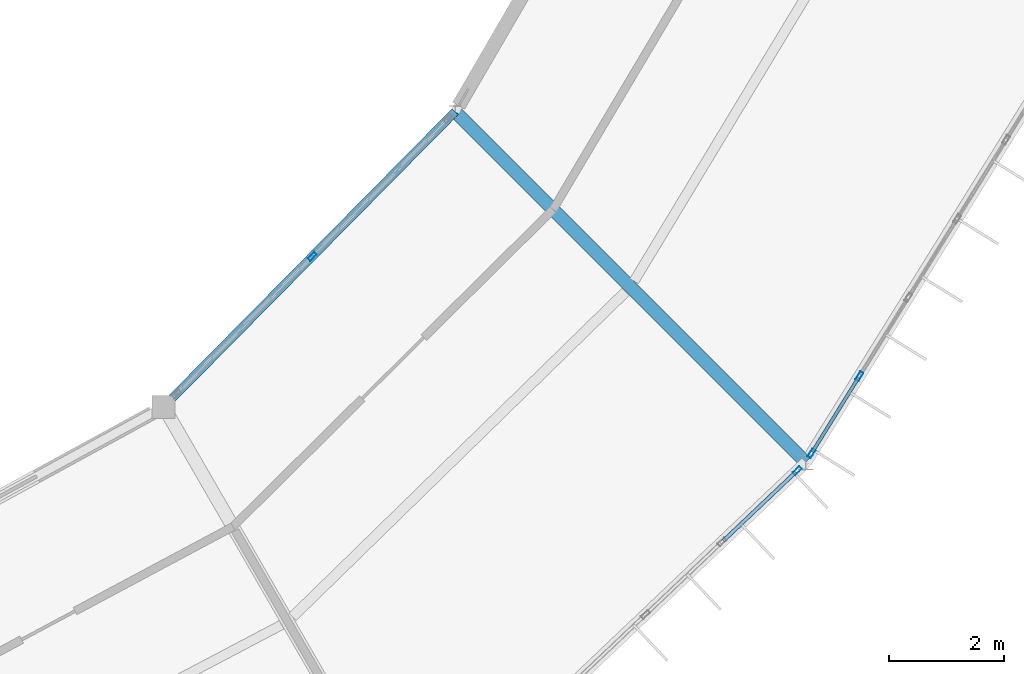
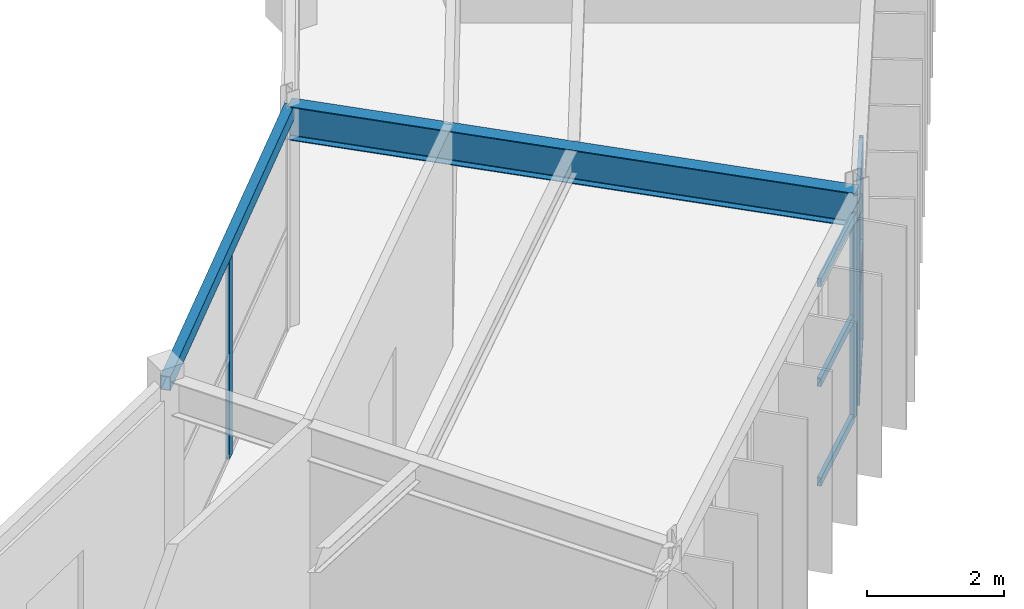
# One storey, part 60 of 157: 10 members, 2 beams, 3 elements without a shape of their own.
"""IFC4 building model written with IfcOpenShell, lengths in metres."""

from ifc_helpers import new_model, si_unit, direction, frame, origin, origin_2d, place, context, subcontext, project, spatial, hollow_rectangle, i_section, extrude, material, material_profile, profile_set, type_object, element, aggregate, save


model = new_model("IFC4")

# Units and contexts
model_context = context("Model", 3, precision=1e-05, world=origin(), true_north=direction((0.0, 1.0)))
body_context = subcontext(model_context, "Body", "Model", "MODEL_VIEW")
ifc_project = project(units=[si_unit("LENGTHUNIT", "METRE"), si_unit("AREAUNIT", "SQUARE_METRE"), si_unit("VOLUMEUNIT", "CUBIC_METRE"), si_unit("PLANEANGLEUNIT", "RADIAN"), si_unit("MASSUNIT", "GRAM", prefix="KILO")], contexts=[model_context])

# Site, building, storey
site_placement = place(None, origin())
site = spatial("IfcSite", under=ifc_project, at=site_placement, CompositionType="ELEMENT")
building_placement = place(site_placement, origin())
building = spatial("IfcBuilding", under=site, at=building_placement, Name="Karori Crest Natural Sciences Institute", CompositionType="ELEMENT")
storey_placement = place(building_placement, frame((0.0, 0.0, 13.300048828125)))
storey = spatial("IfcBuildingStorey", under=building, at=storey_placement, Name="L03", CompositionType="ELEMENT", Elevation=13.300048828125)

# Beams
ifc_material_1 = material(Name="Hollow structural steel AS/NZS 1163 Grade C350", Category="steel")
ifc_material_profile_1 = material_profile(ifc_material_1, hollow_rectangle(XDim=0.14990234375, YDim=0.25, WallThickness=0.009033203125, at=origin_2d()), Name="RHS250x150x9")
ifc_profile_set_1 = profile_set([ifc_material_profile_1], Name="Hollow structural steel AS/NZS 1163 Grade C350")
beam_type_1 = type_object("IfcBeamType", Name="BT-16", PredefinedType="SPANDREL", material=ifc_profile_set_1)
beam_1_placement = place(storey_placement, frame((78.60009765625, 22.013916015625, 3.7900390625), z_axis=(0.702645672149, 0.711539921164, 0.0), x_axis=(-0.711539921164, 0.702645672149, 0.0)))
element("IfcBeam", 1, at=beam_1_placement, inside=storey, type_object=beam_type_1, Name="Beam B-0437", PredefinedType="SPANDREL", context=body_context, shape_type="SweptSolid", body=[
    extrude(hollow_rectangle(XDim=0.14990234375, YDim=0.25, WallThickness=0.009033203125, at=origin_2d()), origin(), (0.0, 0.0, 1.0), 7.191650390625),
])
ifc_material_2 = material(Name="Structural steel AS/NZS 3679.1 Grade 350", Category="steel")
ifc_material_profile_2 = material_profile(ifc_material_2, i_section(OverallWidth=0.22802734375, OverallDepth=0.60205078125, WebThickness=0.010498046875, FlangeThickness=0.014892578125, FilletRadius=0.013916015625, at=origin_2d()), Name="610UB101")
ifc_profile_set_2 = profile_set([ifc_material_profile_2], Name="Structural steel AS/NZS 3679.1 Grade 350")
beam_type_2 = type_object("IfcBeamType", Name="BT-27", PredefinedType="BEAM", material=ifc_profile_set_2)
beam_2_placement = place(storey_placement, frame((83.6533203125, 27.131103515625, 3.638916015625), z_axis=(0.70712097513, -0.707092586958, 0.0), x_axis=(0.707092586958, 0.70712097513, 0.0)))
element("IfcBeam", 2, at=beam_2_placement, inside=storey, type_object=beam_type_2, Name="Beam B-0442", PredefinedType="BEAM", context=body_context, shape_type="SweptSolid", body=[
    extrude(i_section(OverallWidth=0.22802734375, OverallDepth=0.60205078125, WebThickness=0.010498046875, FlangeThickness=0.014892578125, FilletRadius=0.013916015625, at=origin_2d()), origin(), (0.0, 0.0, 1.0), 8.60009765625),
])

# Curtain wall, member
ifc_material_3 = material(Name="Anodised architectural aluminium 6063-T6", Category="aluminium")
curtain_wall_type_1 = type_object("IfcCurtainWallType", Name="CWT-01", PredefinedType="NOTDEFINED", material=ifc_material_3)
curtain_wall_1_placement = place(storey_placement, origin())
curtain_wall_1 = element("IfcCurtainWall", 3, at=curtain_wall_1_placement, inside=storey, type_object=curtain_wall_type_1, Name="Curtain wall CW-0130", PredefinedType="NOTDEFINED")
ifc_material_profile_3 = material_profile(ifc_material_3, hollow_rectangle(XDim=0.06494140625, YDim=0.159912109375, WallThickness=0.00390625, at=origin_2d()), Name="CWM160x65x4")
ifc_profile_set_3 = profile_set([ifc_material_profile_3], Name="Anodised architectural aluminium 6063-T6")
member_type_1 = type_object("IfcMemberType", Name="CWM-01", PredefinedType="MULLION", material=ifc_profile_set_3)
member_1_placement = place(storey_placement, frame((89.58447265625, 20.90771484375, 0.0), z_axis=(0.0, 0.0, 1.0), x_axis=(0.688250542104, -0.725473081026, 0.0)))
member_1 = element("IfcMember", 4, at=member_1_placement, type_object=member_type_1, Name="CW-0130 mullion 1", PredefinedType="MULLION", context=body_context, shape_type="SweptSolid", body=[
    extrude(hollow_rectangle(XDim=0.06494140625, YDim=0.159912109375, WallThickness=0.00390625, at=origin_2d()), origin(), (0.0, 0.0, 1.0), 3.625),
])

curtain_wall_type_2 = type_object("IfcCurtainWallType", Name="CWT-11", PredefinedType="NOTDEFINED", material=ifc_material_3)
curtain_wall_2_placement = place(storey_placement, origin())
curtain_wall_2 = element("IfcCurtainWall", 5, at=curtain_wall_2_placement, inside=storey, type_object=curtain_wall_type_2, Name="Curtain wall CW-0131", PredefinedType="NOTDEFINED")
member_2_placement = place(storey_placement, frame((81.17431640625, 24.62060546875, 0.0), z_axis=(0.0, 0.0, 1.0), x_axis=(-0.711524963942, 0.702660818381, 0.0)))
member_2 = element("IfcMember", 6, at=member_2_placement, type_object=member_type_1, Name="CW-0131 mullion 2", PredefinedType="MULLION", context=body_context, shape_type="SweptSolid", body=[
    extrude(hollow_rectangle(XDim=0.06494140625, YDim=0.159912109375, WallThickness=0.00390625, at=origin_2d()), origin(), (0.0, 0.0, 1.0), 3.64990234375),
])
aggregate(curtain_wall_2, [member_2])

# Curtain wall, members
curtain_wall_type_3 = type_object("IfcCurtainWallType", Name="CWT-02", PredefinedType="NOTDEFINED", material=ifc_material_3)
curtain_wall_3_placement = place(storey_placement, origin())
curtain_wall_3 = element("IfcCurtainWall", 7, at=curtain_wall_3_placement, inside=storey, type_object=curtain_wall_type_3, Name="Curtain wall CW-0132", PredefinedType="NOTDEFINED")
member_3_placement = place(storey_placement, frame((90.661865234375, 22.54443359375, 0.0), z_axis=(0.0, 0.0, 1.0), x_axis=(0.849664350398, -0.527323896352, 0.0)))
member_3 = element("IfcMember", 8, at=member_3_placement, type_object=member_type_1, Name="CW-0132 mullion 6", PredefinedType="MULLION", context=body_context, shape_type="SweptSolid", body=[
    extrude(hollow_rectangle(XDim=0.06494140625, YDim=0.159912109375, WallThickness=0.00390625, at=origin_2d()), origin(), (0.0, 0.0, 1.0), 3.625),
])
member_4_placement = place(storey_placement, frame((89.831298828125, 21.205810546875, 0.0), z_axis=(0.0, 0.0, 1.0), x_axis=(0.849664350398, -0.527323896352, 0.0)))
member_4 = element("IfcMember", 9, at=member_4_placement, type_object=member_type_1, Name="CW-0132 mullion 7", PredefinedType="MULLION", context=body_context, shape_type="SweptSolid", body=[
    extrude(hollow_rectangle(XDim=0.06494140625, YDim=0.159912109375, WallThickness=0.00390625, at=origin_2d()), origin(), (0.0, 0.0, 1.0), 3.625),
])
ifc_material_profile_4 = material_profile(ifc_material_3, hollow_rectangle(XDim=0.06005859375, YDim=0.1201171875, WallThickness=0.00390625, at=origin_2d()), Name="CWT120x60x4")
ifc_profile_set_4 = profile_set([ifc_material_profile_4], Name="Anodised architectural aluminium 6063-T6")
member_type_2 = type_object("IfcMemberType", Name="CWT-TR1", PredefinedType="USERDEFINED", material=ifc_profile_set_4)
member_5_placement = place(storey_placement, frame((90.644775390625, 22.516845703125, 0.030029296875), z_axis=(-0.52732262058, -0.849665142173, 0.0), x_axis=(0.849665142173, -0.52732262058, 0.0)))
member_5 = element("IfcMember", 10, at=member_5_placement, type_object=member_type_2, Name="CW-0132 transom 6.1", ObjectType="TRANSOM", PredefinedType="USERDEFINED", context=body_context, shape_type="SweptSolid", body=[
    extrude(hollow_rectangle(XDim=0.06005859375, YDim=0.1201171875, WallThickness=0.00390625, at=origin_2d()), origin(), (0.0, 0.0, 1.0), 1.51025390625),
])
member_6_placement = place(storey_placement, frame((90.644775390625, 22.516845703125, 1.8125), z_axis=(-0.52732262058, -0.849665142173, 0.0), x_axis=(0.849665142173, -0.52732262058, 0.0)))
member_6 = element("IfcMember", 11, at=member_6_placement, type_object=member_type_2, Name="CW-0132 transom 6.2", ObjectType="TRANSOM", PredefinedType="USERDEFINED", context=body_context, shape_type="SweptSolid", body=[
    extrude(hollow_rectangle(XDim=0.06005859375, YDim=0.1201171875, WallThickness=0.00390625, at=origin_2d()), origin(), (0.0, 0.0, 1.0), 1.51025390625),
])
member_7_placement = place(storey_placement, frame((90.644775390625, 22.516845703125, 3.594970703125), z_axis=(-0.52732262058, -0.849665142173, 0.0), x_axis=(0.849665142173, -0.52732262058, 0.0)))
member_7 = element("IfcMember", 12, at=member_7_placement, type_object=member_type_2, Name="CW-0132 transom 6.3", ObjectType="TRANSOM", PredefinedType="USERDEFINED", context=body_context, shape_type="SweptSolid", body=[
    extrude(hollow_rectangle(XDim=0.06005859375, YDim=0.1201171875, WallThickness=0.00390625, at=origin_2d()), origin(), (0.0, 0.0, 1.0), 1.51025390625),
])
aggregate(curtain_wall_3, [member_3, member_4, member_5, member_6, member_7])

# Member
ifc_material_profile_5 = material_profile(ifc_material_3, hollow_rectangle(XDim=0.06494140625, YDim=0.14990234375, WallThickness=0.00390625, at=origin_2d()), Name="CWT150x65x4")
ifc_profile_set_5 = profile_set([ifc_material_profile_5], Name="Anodised architectural aluminium 6063-T6")
member_type_3 = type_object("IfcMemberType", Name="CWT-TR2", PredefinedType="USERDEFINED", material=ifc_profile_set_5)
member_8_placement = place(storey_placement, frame((89.560791015625, 20.88525390625, 0.032470703125), z_axis=(-0.725411327963, -0.6883156291, 0.0), x_axis=(0.6883156291, -0.725411327963, 0.0)))
member_8 = element("IfcMember", 13, at=member_8_placement, type_object=member_type_3, Name="CW-0130 transom 1.1", ObjectType="TRANSOM", PredefinedType="USERDEFINED", context=body_context, shape_type="SweptSolid", body=[
    extrude(hollow_rectangle(XDim=0.06494140625, YDim=0.14990234375, WallThickness=0.00390625, at=origin_2d()), origin(), (0.0, 0.0, 1.0), 1.73095703125),
])

member_9_placement = place(storey_placement, frame((89.560791015625, 20.88525390625, 1.8125), z_axis=(-0.725411327963, -0.6883156291, 0.0), x_axis=(0.6883156291, -0.725411327963, 0.0)))
member_9 = element("IfcMember", 14, at=member_9_placement, type_object=member_type_3, Name="CW-0130 transom 1.2", ObjectType="TRANSOM", PredefinedType="USERDEFINED", context=body_context, shape_type="SweptSolid", body=[
    extrude(hollow_rectangle(XDim=0.06494140625, YDim=0.14990234375, WallThickness=0.00390625, at=origin_2d()), origin(), (0.0, 0.0, 1.0), 1.73095703125),
])

member_10_placement = place(storey_placement, frame((89.560791015625, 20.88525390625, 3.592529296875), z_axis=(-0.725411327963, -0.6883156291, 0.0), x_axis=(0.6883156291, -0.725411327963, 0.0)))
member_10 = element("IfcMember", 15, at=member_10_placement, type_object=member_type_3, Name="CW-0130 transom 1.3", ObjectType="TRANSOM", PredefinedType="USERDEFINED", context=body_context, shape_type="SweptSolid", body=[
    extrude(hollow_rectangle(XDim=0.06494140625, YDim=0.14990234375, WallThickness=0.00390625, at=origin_2d()), origin(), (0.0, 0.0, 1.0), 1.73095703125),
])

aggregate(curtain_wall_1, [member_1, member_8, member_9, member_10])

save(model, "model.ifc")
